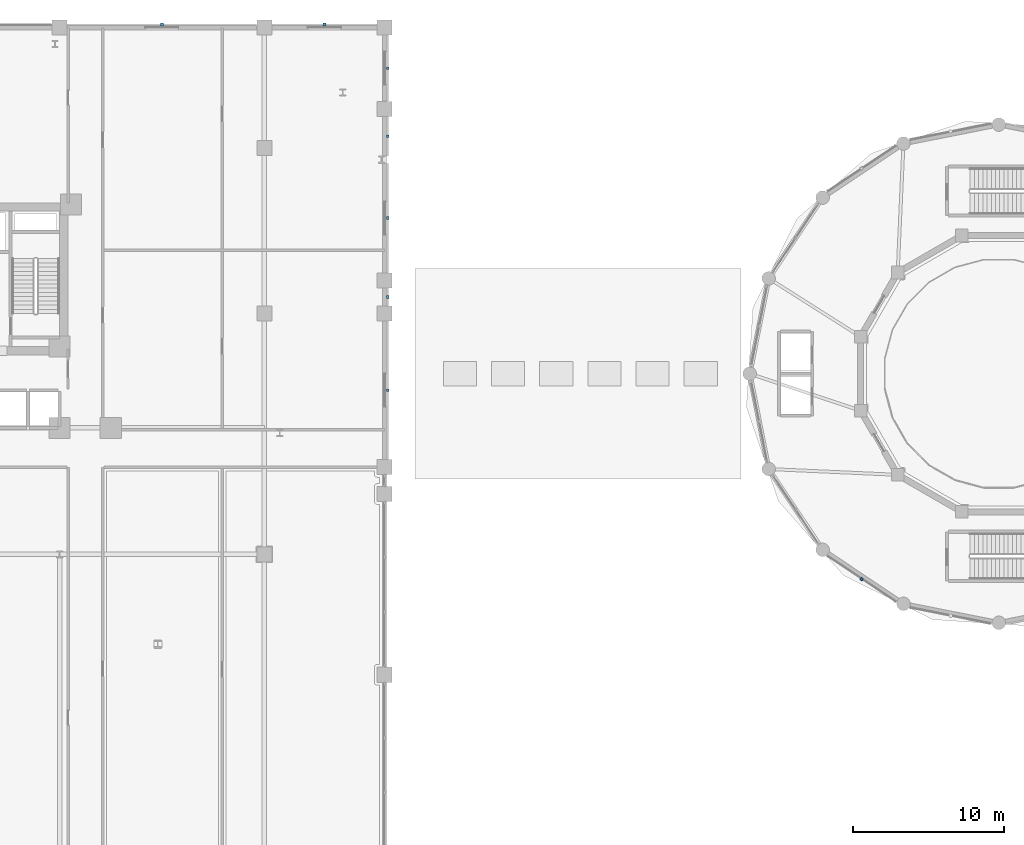
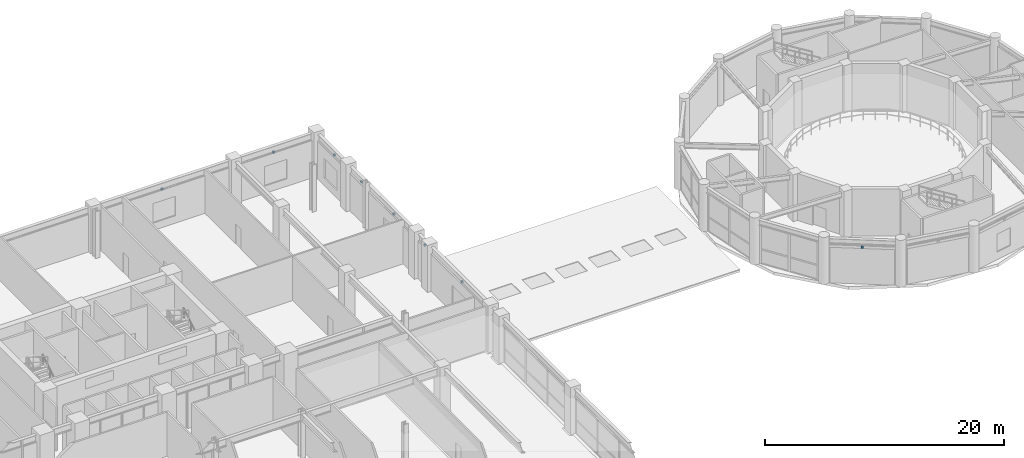
# One storey, part 26 of 34: 8 discrete accessories.
"""IFC4 building model written with IfcOpenShell, lengths in metres."""

from ifc_helpers import new_model, si_unit, derived_unit, direction, frame, origin, origin_2d, place, context, subcontext, project, spatial, rectangle, extrude, source, transform, mapped, material, type_object, element, save


model = new_model("IFC4")

# Units and contexts
model_context = context("Model", 3, precision=1e-05, world=origin(), true_north=direction((0.0, 1.0)))
body_context = subcontext(model_context, "Body", "Model", "MODEL_VIEW")
ifc_project = project(units=[si_unit("LENGTHUNIT", "METRE"), si_unit("AREAUNIT", "SQUARE_METRE"), si_unit("VOLUMEUNIT", "CUBIC_METRE"), si_unit("PLANEANGLEUNIT", "RADIAN"), si_unit("MASSUNIT", "GRAM", prefix="KILO"), derived_unit("THERMALTRANSMITTANCEUNIT", [(si_unit("POWERUNIT", "WATT"), 1), (si_unit("LENGTHUNIT", "METRE"), -2), (si_unit("THERMODYNAMICTEMPERATUREUNIT", "KELVIN"), -1)])], contexts=[model_context])

# Site, building, storey
site_placement = place(None, origin())
site = spatial("IfcSite", under=ifc_project, at=site_placement, CompositionType="ELEMENT")
building_placement = place(site_placement, origin())
building = spatial("IfcBuilding", under=site, at=building_placement, Name="Korsvarv Bourse and Concert Hall", CompositionType="ELEMENT")
storey_placement = place(building_placement, frame((0.0, 0.0, 14.39990234375)))
storey = spatial("IfcBuildingStorey", under=building, at=storey_placement, Name="L03", CompositionType="ELEMENT", Elevation=14.39990234375)

# Discrete accessories
ifc_material = material(Name="Stainless Steel S355 facade outrigger bracket", Category="steel")
discrete_accessory_type = type_object("IfcDiscreteAccessoryType", Name="ACC-BRK-1", PredefinedType="BRACKET", material=ifc_material)
shared_shape = source(origin(), body_context, "Body", "SweptSolid", [
    extrude(rectangle(XDim=0.179931640625, YDim=0.179931640625, at=origin_2d()), origin(), (0.0, 0.0, 1.0), 0.199951171875),
])
for number, where, z_axis, x_axis, name in (
    (1, (51.199951171875, 59.199951171875, 3.56005859375), (0.0, 0.0, 1.0), (1.0, 0.0, 0.0), "L03 terracotta sunshade bracket EW-L03-N4"),
    (2, (62.0, 59.199951171875, 3.56005859375), (0.0, 0.0, 1.0), (1.0, 0.0, 0.0), "L03 terracotta sunshade bracket EW-L03-N5"),
    (3, (66.199951171875, 34.89990234375, 3.56005859375), (0.0, 0.0, 1.0), (0.0, 1.0, 0.0), "L03 terracotta sunshade bracket EW-L03-E3-1"),
    (4, (66.199951171875, 41.10009765625, 3.56005859375), (0.0, 0.0, 1.0), (0.0, 1.0, 0.0), "L03 terracotta sunshade bracket EW-L03-E3-2"),
    (5, (66.199951171875, 46.340087890625, 3.56005859375), (0.0, 0.0, 1.0), (0.0, 1.0, 0.0), "L03 terracotta sunshade bracket EW-L03-E4-1"),
    (6, (66.199951171875, 51.777099609375, 3.56005859375), (0.0, 0.0, 1.0), (0.0, 1.0, 0.0), "L03 terracotta sunshade bracket EW-L03-E4-2"),
    (7, (66.199951171875, 56.300048828125, 3.56005859375), (0.0, 0.0, 1.0), (0.0, 1.0, 0.0), "L03 terracotta sunshade bracket EW-L03-E5"),
    (8, (97.681884765625, 22.35400390625, 3.68994140625), (0.0, 0.0, 1.0), (0.831469612303, -0.55557023302, 0.0), "L03 terracotta sunshade bracket EW-L03-CHD11"),
):
    element("IfcDiscreteAccessory", number, at=place(storey_placement, frame(where, z_axis=z_axis, x_axis=x_axis)), inside=storey, type_object=discrete_accessory_type, Name=name, PredefinedType="BRACKET", context=body_context, shape_type="MappedRepresentation", body=[
        mapped(shared_shape, transform((0.0, 0.0, 0.0), scale=1.0)),
    ])

save(model, "model.ifc")
